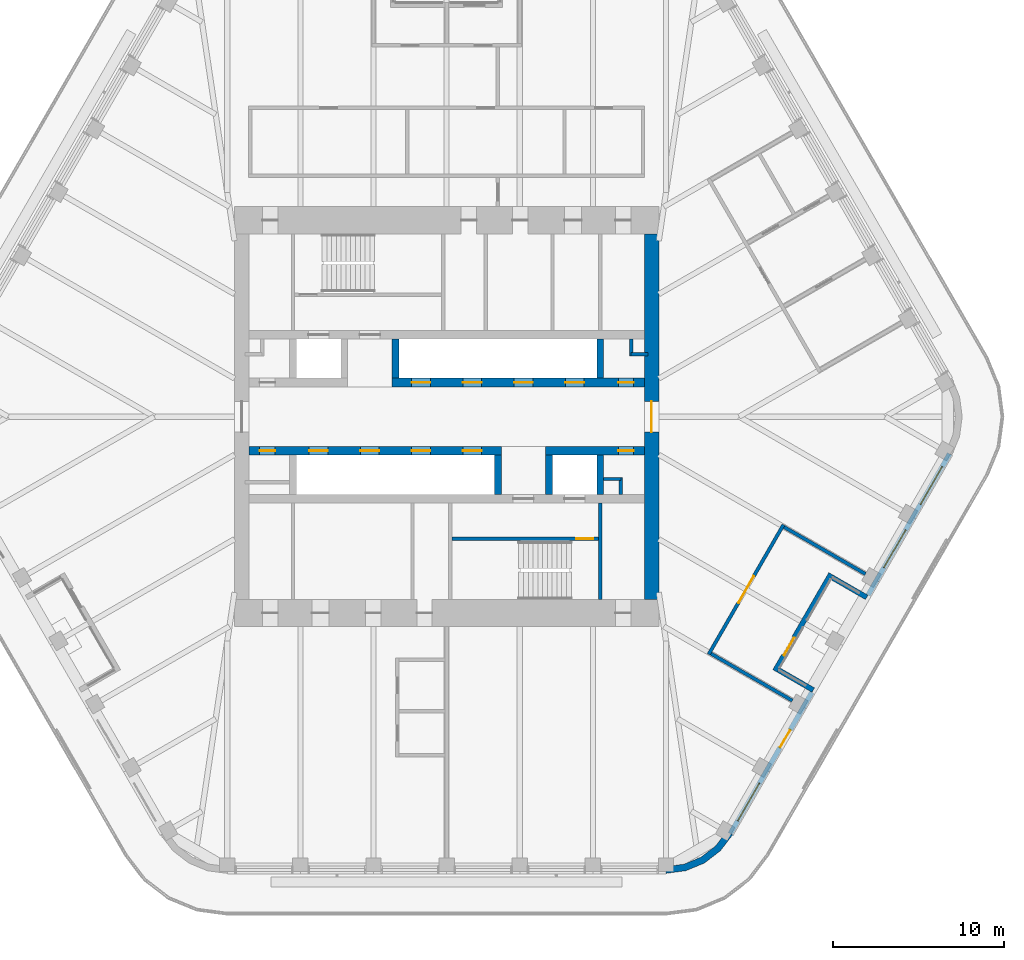
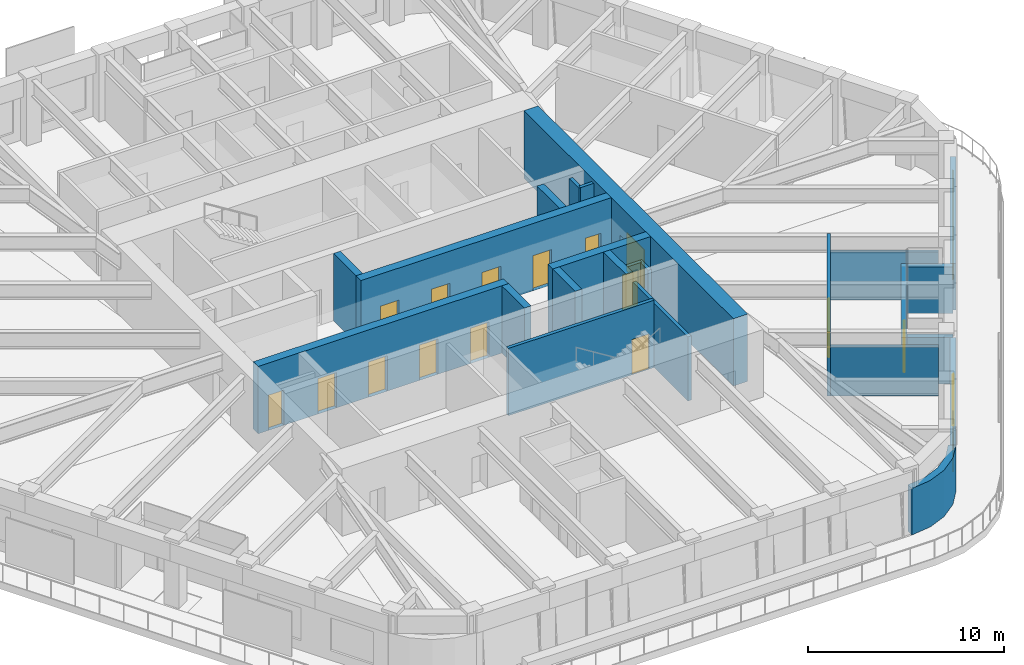
# One storey, part 14 of 19: 24 walls, 16 doors, 3 windows, 19 openings.
"""IFC4 building model written with IfcOpenShell, lengths in metres."""

from ifc_helpers import new_model, si_unit, direction, frame, frame_2d, origin, place, context, subcontext, project, spatial, polyline, rectangle, outline, extrude, material, layer, layer_set, type_object, element, fill, save


model = new_model("IFC4")

# Units and contexts
model_context = context("Model", 3, precision=1e-05, world=origin(), true_north=direction((0.0, 1.0)))
body_context = subcontext(model_context, "Body", "Model", "MODEL_VIEW")
ifc_project = project(units=[si_unit("LENGTHUNIT", "METRE"), si_unit("AREAUNIT", "SQUARE_METRE"), si_unit("VOLUMEUNIT", "CUBIC_METRE"), si_unit("PLANEANGLEUNIT", "RADIAN"), si_unit("MASSUNIT", "GRAM", prefix="KILO")], contexts=[model_context])

# Site, building, storey
site_placement = place(None, origin())
site = spatial("IfcSite", under=ifc_project, at=site_placement, CompositionType="ELEMENT")
building_placement = place(site_placement, origin())
building = spatial("IfcBuilding", under=site, at=building_placement, Name="Tarfa Lantern Tower", CompositionType="ELEMENT")
storey_placement = place(building_placement, frame((0.0, 0.0, 366.10009765625)))
storey = spatial("IfcBuildingStorey", under=building, at=storey_placement, Name="L83", CompositionType="ELEMENT", Elevation=366.10009765625)

# Wall, openings, door, window
ifc_material_1 = material(Name="Limestone cladding on blockwork", Category="masonry")
ifc_layer_1 = layer(ifc_material_1, 0.300048828125)
ifc_layer_set_1 = layer_set([ifc_layer_1], Name="EW1 STONE-CLAD WALL 300")
wall_type_1 = type_object("IfcWallType", Name="EW1 STONE-CLAD WALL 300", PredefinedType="SOLIDWALL", material=ifc_layer_set_1)
wall_1_placement = place(storey_placement, frame((16.61328125, -24.425048828125, 0.0), z_axis=(0.0, 0.0, 1.0), x_axis=(0.499996453679, 0.866027451244, 0.0)))
wall_1 = element("IfcWall", 1, at=wall_1_placement, inside=storey, type_object=wall_type_1, Name="Stone wall SE", PredefinedType="SOLIDWALL", context=body_context, shape_type="SweptSolid", body=[
    extrude(rectangle(XDim=9.56396484375, YDim=0.300048828125, at=frame_2d((4.781982421875, 0.0))), origin(), (0.0, 0.0, 1.0), 2.89990234375),
])
opening_1_placement = place(wall_1_placement, frame((0.865966796875, 0.0, 0.60009765625)))
opening_1 = element("IfcOpeningElement", 2, at=opening_1_placement, cuts=wall_1, Name="Opening W17", PredefinedType="OPENING", context=body_context, shape_type="SweptSolid", body=[
    extrude(rectangle(XDim=2.550048828125, YDim=2.050048828125, at=frame_2d((1.27490234375, 1.02490234375))), frame((0.0, 0.159912109375, 0.0), z_axis=(0.0, -1.0, 0.0), x_axis=(1.0, 0.0, 0.0)), (0.0, 0.0, 1.0), 0.320068359375),
])
opening_2_placement = place(wall_1_placement, frame((5.822998046875, 0.0, 0.0)))
opening_2 = element("IfcOpeningElement", 3, at=opening_2_placement, cuts=wall_1, Name="Opening D36", PredefinedType="OPENING", context=body_context, shape_type="SweptSolid", body=[
    extrude(rectangle(XDim=1.199951171875, YDim=2.39990234375, at=frame_2d((0.60009765625, 1.199951171875))), frame((0.0, 0.159912109375, 0.0), z_axis=(0.0, -1.0, 0.0), x_axis=(1.0, 0.0, 0.0)), (0.0, 0.0, 1.0), 0.320068359375),
])
ifc_material_2 = material(Name="Aluminium framed glazed door", Category="aluminium")
door_type_1 = type_object("IfcDoorType", Name="BE3 BALCONY DOOR 1200x2400", OperationType="SINGLE_SWING_RIGHT", PredefinedType="DOOR", material=ifc_material_2)
door_1_placement = place(opening_2_placement, origin())
door_1 = element("IfcDoor", 4, at=door_1_placement, inside=storey, type_object=door_type_1, Name="Balcony door SE", OperationType="SINGLE_SWING_LEFT", OverallHeight=2.39990234375, OverallWidth=1.199951171875, PredefinedType="DOOR", context=body_context, shape_type="SweptSolid", body=[
    extrude(rectangle(XDim=1.199951171875, YDim=2.39990234375, at=frame_2d((0.60009765625, 1.199951171875))), frame((0.0, 0.02490234375, 0.0), z_axis=(0.0, -1.0, 0.0), x_axis=(1.0, 0.0, 0.0)), (0.0, 0.0, 1.0), 0.050048828125),
])
fill(opening_2, door_1)
ifc_material_3 = material(Name="Aluminium frame, double glazed", Category="aluminium")
window_type = type_object("IfcWindowType", Name="W17 FULL-HEIGHT GLAZING 2550x2050", PartitioningType="SINGLE_PANEL", PredefinedType="WINDOW", material=ifc_material_3)
window_1_placement = place(opening_1_placement, origin())
window_1 = element("IfcWindow", 5, at=window_1_placement, inside=storey, type_object=window_type, Name="Window SE 1", OverallHeight=2.050048828125, OverallWidth=2.550048828125, PartitioningType="SINGLE_PANEL", PredefinedType="WINDOW", context=body_context, shape_type="SweptSolid", body=[
    extrude(rectangle(XDim=2.550048828125, YDim=2.050048828125, at=frame_2d((1.27490234375, 1.02490234375))), frame((0.0, 0.030029296875, 0.0), z_axis=(0.0, -1.0, 0.0), x_axis=(1.0, 0.0, 0.0)), (0.0, 0.0, 1.0), 0.06005859375),
])
fill(opening_1, window_1)

# Wall, openings, windows
wall_2_placement = place(storey_placement, frame((24.67724609375, -10.457763671875, 0.0), z_axis=(0.0, 0.0, 1.0), x_axis=(0.499996453679, 0.866027451244, 0.0)))
wall_2 = element("IfcWall", 6, at=wall_2_placement, inside=storey, type_object=wall_type_1, Name="Stone wall SEB", PredefinedType="SOLIDWALL", context=body_context, shape_type="SweptSolid", body=[
    extrude(rectangle(XDim=9.56396484375, YDim=0.300048828125, at=frame_2d((4.781982421875, 0.0))), origin(), (0.0, 0.0, 1.0), 2.89990234375),
])
opening_3_placement = place(wall_2_placement, frame((1.865966796875, 0.0, 0.60009765625)))
opening_3 = element("IfcOpeningElement", 7, at=opening_3_placement, cuts=wall_2, Name="Opening W17", PredefinedType="OPENING", context=body_context, shape_type="SweptSolid", body=[
    extrude(rectangle(XDim=2.550048828125, YDim=2.050048828125, at=frame_2d((1.27490234375, 1.02490234375))), frame((0.0, 0.159912109375, 0.0), z_axis=(0.0, -1.0, 0.0), x_axis=(1.0, 0.0, 0.0)), (0.0, 0.0, 1.0), 0.320068359375),
])
opening_4_placement = place(wall_2_placement, frame((6.14794921875, 0.0, 0.60009765625)))
opening_4 = element("IfcOpeningElement", 8, at=opening_4_placement, cuts=wall_2, Name="Opening W17", PredefinedType="OPENING", context=body_context, shape_type="SweptSolid", body=[
    extrude(rectangle(XDim=2.550048828125, YDim=2.050048828125, at=frame_2d((1.27490234375, 1.02490234375))), frame((0.0, 0.159912109375, 0.0), z_axis=(0.0, -1.0, 0.0), x_axis=(1.0, 0.0, 0.0)), (0.0, 0.0, 1.0), 0.320068359375),
])
window_2_placement = place(opening_3_placement, origin())
window_2 = element("IfcWindow", 9, at=window_2_placement, inside=storey, type_object=window_type, Name="Window SEB 1", OverallHeight=2.050048828125, OverallWidth=2.550048828125, PartitioningType="SINGLE_PANEL", PredefinedType="WINDOW", context=body_context, shape_type="SweptSolid", body=[
    extrude(rectangle(XDim=2.550048828125, YDim=2.050048828125, at=frame_2d((1.27490234375, 1.02490234375))), frame((0.0, 0.030029296875, 0.0), z_axis=(0.0, -1.0, 0.0), x_axis=(1.0, 0.0, 0.0)), (0.0, 0.0, 1.0), 0.06005859375),
])
fill(opening_3, window_2)
window_3_placement = place(opening_4_placement, origin())
window_3 = element("IfcWindow", 10, at=window_3_placement, inside=storey, type_object=window_type, Name="Window SEB 2", OverallHeight=2.050048828125, OverallWidth=2.550048828125, PartitioningType="SINGLE_PANEL", PredefinedType="WINDOW", context=body_context, shape_type="SweptSolid", body=[
    extrude(rectangle(XDim=2.550048828125, YDim=2.050048828125, at=frame_2d((1.27490234375, 1.02490234375))), frame((0.0, 0.030029296875, 0.0), z_axis=(0.0, -1.0, 0.0), x_axis=(1.0, 0.0, 0.0)), (0.0, 0.0, 1.0), 0.06005859375),
])
fill(opening_4, window_3)

# Walls
for number, where, z_axis, x_axis, name in (
    (11, (21.47021484375, -16.012451171875, 0.0), (0.0, 0.0, 1.0), (-0.866016039709, 0.500016218704, 0.0), "Terrace return SE 1"),
    (12, (24.602294921875, -10.587646484375, 0.0), (0.0, 0.0, 1.0), (-0.866016039709, 0.500016218704, 0.0), "Terrace return SE 2"),
):
    element("IfcWall", number, at=place(storey_placement, frame(where, z_axis=z_axis, x_axis=x_axis)), inside=storey, type_object=wall_type_1, Name=name, PredefinedType="SOLIDWALL", context=body_context, shape_type="SweptSolid", body=[
        extrude(rectangle(XDim=2.35009765625, YDim=0.300048828125, at=frame_2d((1.175048828125, 0.0))), origin(), (0.0, 0.0, 1.0), 2.89990234375),
    ])

# Wall, opening, door
wall_3_placement = place(storey_placement, frame((19.230224609375, -14.892333984375, 0.0), z_axis=(0.0, 0.0, 1.0), x_axis=(0.499999339774, 0.866025784966, 0.0)))
wall_3 = element("IfcWall", 13, at=wall_3_placement, inside=storey, type_object=wall_type_1, Name="Stone wall SES", PredefinedType="SOLIDWALL", context=body_context, shape_type="SweptSolid", body=[
    extrude(rectangle(XDim=6.56396484375, YDim=0.300048828125, at=frame_2d((3.281982421875, 0.0))), origin(), (0.0, 0.0, 1.0), 2.89990234375),
])
opening_5_placement = place(wall_3_placement, frame((1.041015625, 0.0, 0.0)))
opening_5 = element("IfcOpeningElement", 14, at=opening_5_placement, cuts=wall_3, Name="Opening D37", PredefinedType="OPENING", context=body_context, shape_type="SweptSolid", body=[
    extrude(rectangle(XDim=1.199951171875, YDim=2.39990234375, at=frame_2d((0.60009765625, 1.199951171875))), frame((0.0, 0.159912109375, 0.0), z_axis=(0.0, -1.0, 0.0), x_axis=(1.0, 0.0, 0.0)), (0.0, 0.0, 1.0), 0.320068359375),
])
door_2_placement = place(opening_5_placement, origin())
door_2 = element("IfcDoor", 15, at=door_2_placement, inside=storey, type_object=door_type_1, Name="Balcony door SES", OperationType="SINGLE_SWING_RIGHT", OverallHeight=2.39990234375, OverallWidth=1.199951171875, PredefinedType="DOOR", context=body_context, shape_type="SweptSolid", body=[
    extrude(rectangle(XDim=1.199951171875, YDim=2.39990234375, at=frame_2d((0.60009765625, 1.199951171875))), frame((0.0, 0.02490234375, 0.0), z_axis=(0.0, -1.0, 0.0), x_axis=(1.0, 0.0, 0.0)), (0.0, 0.0, 1.0), 0.050048828125),
])
fill(opening_5, door_2)

# Walls
ifc_layer_2 = layer(ifc_material_1, 0.39990234375)
ifc_layer_set_2 = layer_set([ifc_layer_2], Name="EW2 CURVED STONE CORNER 400")
wall_type_2 = type_object("IfcWallType", Name="EW2 CURVED STONE CORNER 400", PredefinedType="SOLIDWALL", material=ifc_layer_set_2)
wall_4_placement = place(storey_placement, origin())
element("IfcWall", 16, at=wall_4_placement, inside=storey, type_object=wall_type_2, Name="Stone corner S-SE", PredefinedType="SOLIDWALL", context=body_context, shape_type="SweptSolid", body=[
    extrude(outline(polyline([(12.845947265625, -26.75), (14.0107421875, -26.5966796875), (15.095947265625, -26.147216796875), (16.028076171875, -25.431884765625), (16.7431640625, -24.5), (16.396728515625, -24.300048828125), (15.7451171875, -25.149169921875), (14.89599609375, -25.80078125), (13.9072265625, -26.210205078125), (12.845947265625, -26.35009765625), (12.845947265625, -26.75)])), origin(), (0.0, 0.0, 1.0), 2.89990234375),
])
ifc_material_4 = material(Name="Concrete blockwork", Category="masonry")
ifc_layer_3 = layer(ifc_material_4, 0.199951171875)
ifc_layer_set_3 = layer_set([ifc_layer_3], Name="IW1 BLOCKWORK PARTITION 200 EI 120")
wall_type_3 = type_object("IfcWallType", Name="IW1 BLOCKWORK PARTITION 200 EI 120", PredefinedType="PARTITIONING", material=ifc_layer_set_3)
wall_5_placement = place(storey_placement, frame((9.0, -5.050048828125, 0.0), z_axis=(0.0, 0.0, 1.0), x_axis=(0.0, -1.0, 0.0)))
element("IfcWall", 17, at=wall_5_placement, inside=storey, type_object=wall_type_3, Name="Core partition", PredefinedType="PARTITIONING", context=body_context, shape_type="SweptSolid", body=[
    extrude(rectangle(XDim=5.64990234375, YDim=0.199951171875, at=frame_2d((2.824951171875, 0.0))), origin(), (0.0, 0.0, 1.0), 4.0),
])
for number, where, z_axis, x_axis, name in (
    (18, (10.800048828125, 3.64990234375, 0.0), (0.0, 0.0, 1.0), (1.0, 0.0, 0.0), "Core partition"),
    (19, (10.800048828125, 3.550048828125, 0.0), (0.0, 0.0, 1.0), (0.0, 1.0, 0.0), "Core partition"),
    (20, (10.199951171875, -3.64990234375, 0.0), (0.0, 0.0, 1.0), (-1.0, 0.0, 0.0), "Core partition"),
    (21, (10.199951171875, -3.550048828125, 0.0), (0.0, 0.0, 1.0), (0.0, -1.0, 0.0), "Core partition"),
):
    element("IfcWall", number, at=place(storey_placement, frame(where, z_axis=z_axis, x_axis=x_axis)), inside=storey, type_object=wall_type_3, Name=name, PredefinedType="PARTITIONING", context=body_context, shape_type="SweptSolid", body=[
        extrude(rectangle(XDim=1.0, YDim=0.199951171875, at=frame_2d((0.5, 0.0))), origin(), (0.0, 0.0, 1.0), 4.0),
    ])

# Wall, opening, door
ifc_material_5 = material(Name="Gypsum board on steel studs", Category="steel")
ifc_layer_4 = layer(ifc_material_5, 0.2099609375)
ifc_layer_set_4 = layer_set([ifc_layer_4], Name="IW2 ACOUSTIC PARTITION 200")
wall_type_4 = type_object("IfcWallType", Name="IW2 ACOUSTIC PARTITION 200", PredefinedType="PARTITIONING", material=ifc_layer_set_4)
wall_6_placement = place(storey_placement, frame((15.345947265625, -13.919921875, 0.0), z_axis=(0.0, 0.0, 1.0), x_axis=(0.500006995557, 0.86602136486, 0.0)))
wall_6 = element("IfcWall", 22, at=wall_6_placement, inside=storey, type_object=wall_type_4, Name="Partition", PredefinedType="PARTITIONING", context=body_context, shape_type="SweptSolid", body=[
    extrude(rectangle(XDim=8.763916015625, YDim=0.199951171875, at=frame_2d((4.3818359375, 0.0))), origin(), (0.0, 0.0, 1.0), 4.0),
])
opening_6_placement = place(wall_6_placement, frame((3.48193359375, 0.0, 0.0)))
opening_6 = element("IfcOpeningElement", 23, at=opening_6_placement, cuts=wall_6, Name="Opening D27", PredefinedType="OPENING", context=body_context, shape_type="SweptSolid", body=[
    extrude(rectangle(XDim=1.800048828125, YDim=2.39990234375, at=frame_2d((0.89990234375, 1.199951171875))), frame((0.0, 0.10986328125, 0.0), z_axis=(0.0, -1.0, 0.0), x_axis=(1.0, 0.0, 0.0)), (0.0, 0.0, 1.0), 0.219970703125),
])
ifc_material_6 = material(Name="Timber door", Category="wood")
door_type_2 = type_object("IfcDoorType", Name="DR2 ROOM DOOR 1800x2400", OperationType="DOUBLE_DOOR_SINGLE_SWING", PredefinedType="DOOR", material=ifc_material_6)
door_3_placement = place(opening_6_placement, frame((1.800048828125, 0.0, 0.0), z_axis=(0.0, 0.0, 1.0), x_axis=(-1.0, 0.0, 0.0)))
door_3 = element("IfcDoor", 24, at=door_3_placement, inside=storey, type_object=door_type_2, Name="Majlis door", OperationType="DOUBLE_DOOR_SINGLE_SWING", OverallHeight=2.39990234375, OverallWidth=1.800048828125, PredefinedType="DOOR", context=body_context, shape_type="SweptSolid", body=[
    extrude(rectangle(XDim=1.800048828125, YDim=2.39990234375, at=frame_2d((0.89990234375, 1.199951171875))), frame((0.0, 0.02490234375, 0.0), z_axis=(0.0, -1.0, 0.0), x_axis=(1.0, 0.0, 0.0)), (0.0, 0.0, 1.0), 0.050048828125),
])
fill(opening_6, door_3)

# Walls
wall_7_placement = place(storey_placement, frame((15.482666015625, -13.88330078125, 0.0), z_axis=(0.0, 0.0, 1.0), x_axis=(0.866027397988, -0.499996545922, 0.0)))
element("IfcWall", 25, at=wall_7_placement, inside=storey, type_object=wall_type_4, Name="Partition", PredefinedType="PARTITIONING", context=body_context, shape_type="SweptSolid", body=[
    extrude(rectangle(XDim=5.5, YDim=0.199951171875, at=frame_2d((2.75, 0.0))), origin(), (0.0, 0.0, 1.0), 3.08154296875),
])
wall_8_placement = place(storey_placement, frame((19.7646484375, -6.466552734375, 0.0), z_axis=(0.0, 0.0, 1.0), x_axis=(0.866027397988, -0.499996545922, 0.0)))
element("IfcWall", 26, at=wall_8_placement, inside=storey, type_object=wall_type_4, Name="Partition", PredefinedType="PARTITIONING", context=body_context, shape_type="SweptSolid", body=[
    extrude(rectangle(XDim=5.5, YDim=0.199951171875, at=frame_2d((2.75, 0.0))), origin(), (0.0, 0.0, 1.0), 2.99169921875),
])

# Wall, opening, door
ifc_material_7 = material(Name="Concrete C80/95", Category="concrete")
ifc_layer_5 = layer(ifc_material_7, 0.199951171875)
ifc_layer_set_5 = layer_set([ifc_layer_5], Name="SW12 CORE WALL 200")
wall_type_5 = type_object("IfcWallType", Name="SW12 CORE WALL 200", PredefinedType="SHEAR", material=ifc_layer_set_5)
wall_9_placement = place(storey_placement, frame((8.89990234375, -7.14990234375, 0.0), z_axis=(0.0, 0.0, 1.0), x_axis=(-1.0, 0.0, 0.0)))
wall_9 = element("IfcWall", 27, at=wall_9_placement, inside=storey, type_object=wall_type_5, Name="Core wall stair partition S", PredefinedType="SHEAR", context=body_context, shape_type="SweptSolid", body=[
    extrude(rectangle(XDim=8.599853515625, YDim=0.199951171875, at=frame_2d((4.2998046875, 0.0))), origin(), (0.0, 0.0, 1.0), 4.199951171875),
])
opening_7_placement = place(wall_9_placement, frame((0.300048828125, 0.0, 0.0)))
opening_7 = element("IfcOpeningElement", 28, at=opening_7_placement, cuts=wall_9, Name="Opening D20", PredefinedType="OPENING", context=body_context, shape_type="SweptSolid", body=[
    extrude(rectangle(XDim=1.0, YDim=2.199951171875, at=frame_2d((0.5, 1.10009765625))), frame((0.0, 0.10986328125, 0.0), z_axis=(0.0, -1.0, 0.0), x_axis=(1.0, 0.0, 0.0)), (0.0, 0.0, 1.0), 0.219970703125),
])
ifc_material_8 = material(Name="Steel fire door", Category="steel")
door_type_3 = type_object("IfcDoorType", Name="DF2 STAIR DOOR 1000x2200", OperationType="SINGLE_SWING_LEFT", PredefinedType="DOOR", material=ifc_material_8)
door_4_placement = place(opening_7_placement, origin())
door_4 = element("IfcDoor", 29, at=door_4_placement, inside=storey, type_object=door_type_3, Name="Stair door", OperationType="SINGLE_SWING_RIGHT", OverallHeight=2.199951171875, OverallWidth=1.0, PredefinedType="DOOR", context=body_context, shape_type="SweptSolid", body=[
    extrude(rectangle(XDim=1.0, YDim=2.199951171875, at=frame_2d((0.5, 1.10009765625))), frame((0.0, 0.02490234375, 0.0), z_axis=(0.0, -1.0, 0.0), x_axis=(1.0, 0.0, 0.0)), (0.0, 0.0, 1.0), 0.050048828125),
])
fill(opening_7, door_4)

ifc_layer_6 = layer(ifc_material_7, 0.85009765625)
ifc_layer_set_6 = layer_set([ifc_layer_6], Name="SW3 CORE WALL 850")
wall_type_6 = type_object("IfcWallType", Name="SW3 CORE WALL 850", PredefinedType="SHEAR", material=ifc_layer_set_6)
wall_10_placement = place(storey_placement, frame((12.0, -10.699951171875, 0.0), z_axis=(0.0, 0.0, 1.0), x_axis=(0.0, 1.0, 0.0)))
wall_10 = element("IfcWall", 30, at=wall_10_placement, inside=storey, type_object=wall_type_6, Name="Core wall E", PredefinedType="SHEAR", context=body_context, shape_type="SweptSolid", body=[
    extrude(rectangle(XDim=21.39990234375, YDim=0.85009765625, at=frame_2d((10.699951171875, 0.0))), origin(), (0.0, 0.0, 1.0), 4.199951171875),
])
opening_8_placement = place(wall_10_placement, frame((9.800048828125, 0.0, 0.0)))
opening_8 = element("IfcOpeningElement", 31, at=opening_8_placement, cuts=wall_10, Name="Opening D07", PredefinedType="OPENING", context=body_context, shape_type="SweptSolid", body=[
    extrude(rectangle(XDim=1.800048828125, YDim=2.39990234375, at=frame_2d((0.89990234375, 1.199951171875))), frame((0.0, 0.43505859375, 0.0), z_axis=(0.0, -1.0, 0.0), x_axis=(1.0, 0.0, 0.0)), (0.0, 0.0, 1.0), 0.8701171875),
])
door_type_4 = type_object("IfcDoorType", Name="DL1 LOBBY DOOR 1800x2400", OperationType="DOUBLE_DOOR_SINGLE_SWING", PredefinedType="DOOR", material=ifc_material_8)
door_5_placement = place(opening_8_placement, frame((1.800048828125, 0.0, 0.0), z_axis=(0.0, 0.0, 1.0), x_axis=(-1.0, 0.0, 0.0)))
door_5 = element("IfcDoor", 32, at=door_5_placement, inside=storey, type_object=door_type_4, Name="Lift lobby door", OperationType="DOUBLE_DOOR_SINGLE_SWING", OverallHeight=2.39990234375, OverallWidth=1.800048828125, PredefinedType="DOOR", context=body_context, shape_type="SweptSolid", body=[
    extrude(rectangle(XDim=1.800048828125, YDim=2.39990234375, at=frame_2d((0.89990234375, 1.199951171875))), frame((0.0, 0.02490234375, 0.0), z_axis=(0.0, -1.0, 0.0), x_axis=(1.0, 0.0, 0.0)), (0.0, 0.0, 1.0), 0.050048828125),
])
fill(opening_8, door_5)

# Wall, openings, doors
ifc_layer_7 = layer(ifc_material_7, 0.5)
ifc_layer_set_7 = layer_set([ifc_layer_7], Name="SW5 CORE WALL 500")
wall_type_7 = type_object("IfcWallType", Name="SW5 CORE WALL 500", PredefinedType="SHEAR", material=ifc_layer_set_7)
wall_11_placement = place(storey_placement, frame((-3.199951171875, 2.0, 0.0), z_axis=(0.0, 0.0, 1.0), x_axis=(1.0, 0.0, 0.0)))
wall_11 = element("IfcWall", 33, at=wall_11_placement, inside=storey, type_object=wall_type_7, Name="Core wall lobby east N", PredefinedType="SHEAR", context=body_context, shape_type="SweptSolid", body=[
    extrude(rectangle(XDim=14.77490234375, YDim=0.5, at=frame_2d((7.387451171875, 0.0))), origin(), (0.0, 0.0, 1.0), 4.199951171875),
])
opening_9_placement = place(wall_11_placement, frame((13.25, 0.0, 0.0)))
opening_9 = element("IfcOpeningElement", 34, at=opening_9_placement, cuts=wall_11, Name="Opening D09", PredefinedType="OPENING", context=body_context, shape_type="SweptSolid", body=[
    extrude(rectangle(XDim=0.89990234375, YDim=2.199951171875, at=frame_2d((0.449951171875, 1.10009765625))), frame((0.0, 0.260009765625, 0.0), z_axis=(0.0, -1.0, 0.0), x_axis=(1.0, 0.0, 0.0)), (0.0, 0.0, 1.0), 0.52001953125),
])
opening_10_placement = place(wall_11_placement, frame((1.14990234375, 0.0, 0.0)))
opening_10 = element("IfcOpeningElement", 35, at=opening_10_placement, cuts=wall_11, Name="Opening LD03", PredefinedType="OPENING", context=body_context, shape_type="SweptSolid", body=[
    extrude(rectangle(XDim=1.10009765625, YDim=2.199951171875, at=frame_2d((0.550048828125, 1.10009765625))), frame((0.0, 0.260009765625, 0.0), z_axis=(0.0, -1.0, 0.0), x_axis=(1.0, 0.0, 0.0)), (0.0, 0.0, 1.0), 0.52001953125),
])
opening_11_placement = place(wall_11_placement, frame((4.14990234375, 0.0, 0.0)))
opening_11 = element("IfcOpeningElement", 36, at=opening_11_placement, cuts=wall_11, Name="Opening LD04", PredefinedType="OPENING", context=body_context, shape_type="SweptSolid", body=[
    extrude(rectangle(XDim=1.10009765625, YDim=2.199951171875, at=frame_2d((0.550048828125, 1.10009765625))), frame((0.0, 0.260009765625, 0.0), z_axis=(0.0, -1.0, 0.0), x_axis=(1.0, 0.0, 0.0)), (0.0, 0.0, 1.0), 0.52001953125),
])
opening_12_placement = place(wall_11_placement, frame((7.14990234375, 0.0, 0.0)))
opening_12 = element("IfcOpeningElement", 37, at=opening_12_placement, cuts=wall_11, Name="Opening LD05", PredefinedType="OPENING", context=body_context, shape_type="SweptSolid", body=[
    extrude(rectangle(XDim=1.10009765625, YDim=2.199951171875, at=frame_2d((0.550048828125, 1.10009765625))), frame((0.0, 0.260009765625, 0.0), z_axis=(0.0, -1.0, 0.0), x_axis=(1.0, 0.0, 0.0)), (0.0, 0.0, 1.0), 0.52001953125),
])
opening_13_placement = place(wall_11_placement, frame((10.14990234375, 0.0, 0.0)))
opening_13 = element("IfcOpeningElement", 38, at=opening_13_placement, cuts=wall_11, Name="Opening LD06", PredefinedType="OPENING", context=body_context, shape_type="SweptSolid", body=[
    extrude(rectangle(XDim=1.10009765625, YDim=2.199951171875, at=frame_2d((0.550048828125, 1.10009765625))), frame((0.0, 0.260009765625, 0.0), z_axis=(0.0, -1.0, 0.0), x_axis=(1.0, 0.0, 0.0)), (0.0, 0.0, 1.0), 0.52001953125),
])
door_type_5 = type_object("IfcDoorType", Name="DF6 SERVICE ROOM DOOR 900x2200", OperationType="SINGLE_SWING_LEFT", PredefinedType="DOOR", material=ifc_material_8)
door_6_placement = place(opening_9_placement, origin())
door_6 = element("IfcDoor", 39, at=door_6_placement, inside=storey, type_object=door_type_5, Name="Service room door", OperationType="SINGLE_SWING_LEFT", OverallHeight=2.199951171875, OverallWidth=0.89990234375, PredefinedType="DOOR", context=body_context, shape_type="SweptSolid", body=[
    extrude(rectangle(XDim=0.89990234375, YDim=2.199951171875, at=frame_2d((0.449951171875, 1.10009765625))), frame((0.0, 0.02490234375, 0.0), z_axis=(0.0, -1.0, 0.0), x_axis=(1.0, 0.0, 0.0)), (0.0, 0.0, 1.0), 0.050048828125),
])
fill(opening_9, door_6)
ifc_material_9 = material(Name="Stainless steel lift door", Category="steel")
door_type_6 = type_object("IfcDoorType", Name="LD2 LIFT LANDING DOOR 1100x2200", OperationType="SLIDING_TO_LEFT", PredefinedType="DOOR", material=ifc_material_9)
door_7_placement = place(opening_10_placement, frame((1.10009765625, 0.0, 0.0), z_axis=(0.0, 0.0, 1.0), x_axis=(-1.0, 0.0, 0.0)))
door_7 = element("IfcDoor", 40, at=door_7_placement, inside=storey, type_object=door_type_6, Name="Landing door PD1", OperationType="SLIDING_TO_LEFT", OverallHeight=2.199951171875, OverallWidth=1.10009765625, PredefinedType="DOOR", context=body_context, shape_type="SweptSolid", body=[
    extrude(rectangle(XDim=1.10009765625, YDim=2.199951171875, at=frame_2d((0.550048828125, 1.10009765625))), frame((0.0, 0.02490234375, 0.0), z_axis=(0.0, -1.0, 0.0), x_axis=(1.0, 0.0, 0.0)), (0.0, 0.0, 1.0), 0.050048828125),
])
fill(opening_10, door_7)
door_8_placement = place(opening_11_placement, frame((1.10009765625, 0.0, 0.0), z_axis=(0.0, 0.0, 1.0), x_axis=(-1.0, 0.0, 0.0)))
door_8 = element("IfcDoor", 41, at=door_8_placement, inside=storey, type_object=door_type_6, Name="Landing door PD2", OperationType="SLIDING_TO_LEFT", OverallHeight=2.199951171875, OverallWidth=1.10009765625, PredefinedType="DOOR", context=body_context, shape_type="SweptSolid", body=[
    extrude(rectangle(XDim=1.10009765625, YDim=2.199951171875, at=frame_2d((0.550048828125, 1.10009765625))), frame((0.0, 0.02490234375, 0.0), z_axis=(0.0, -1.0, 0.0), x_axis=(1.0, 0.0, 0.0)), (0.0, 0.0, 1.0), 0.050048828125),
])
fill(opening_11, door_8)
door_9_placement = place(opening_12_placement, frame((1.10009765625, 0.0, 0.0), z_axis=(0.0, 0.0, 1.0), x_axis=(-1.0, 0.0, 0.0)))
door_9 = element("IfcDoor", 42, at=door_9_placement, inside=storey, type_object=door_type_6, Name="Landing door PD3", OperationType="SLIDING_TO_LEFT", OverallHeight=2.199951171875, OverallWidth=1.10009765625, PredefinedType="DOOR", context=body_context, shape_type="SweptSolid", body=[
    extrude(rectangle(XDim=1.10009765625, YDim=2.199951171875, at=frame_2d((0.550048828125, 1.10009765625))), frame((0.0, 0.02490234375, 0.0), z_axis=(0.0, -1.0, 0.0), x_axis=(1.0, 0.0, 0.0)), (0.0, 0.0, 1.0), 0.050048828125),
])
fill(opening_12, door_9)
door_10_placement = place(opening_13_placement, frame((1.10009765625, 0.0, 0.0), z_axis=(0.0, 0.0, 1.0), x_axis=(-1.0, 0.0, 0.0)))
door_10 = element("IfcDoor", 43, at=door_10_placement, inside=storey, type_object=door_type_6, Name="Landing door PD4", OperationType="SLIDING_TO_LEFT", OverallHeight=2.199951171875, OverallWidth=1.10009765625, PredefinedType="DOOR", context=body_context, shape_type="SweptSolid", body=[
    extrude(rectangle(XDim=1.10009765625, YDim=2.199951171875, at=frame_2d((0.550048828125, 1.10009765625))), frame((0.0, 0.02490234375, 0.0), z_axis=(0.0, -1.0, 0.0), x_axis=(1.0, 0.0, 0.0)), (0.0, 0.0, 1.0), 0.050048828125),
])
fill(opening_13, door_10)

# Wall, opening, door
wall_12_placement = place(storey_placement, frame((11.574951171875, -2.0, 0.0), z_axis=(0.0, 0.0, 1.0), x_axis=(-1.0, 0.0, 0.0)))
wall_12 = element("IfcWall", 44, at=wall_12_placement, inside=storey, type_object=wall_type_7, Name="Core wall lobby west S", PredefinedType="SHEAR", context=body_context, shape_type="SweptSolid", body=[
    extrude(rectangle(XDim=5.77490234375, YDim=0.5, at=frame_2d((2.887451171875, 0.0))), origin(), (0.0, 0.0, 1.0), 4.199951171875),
])
opening_14_placement = place(wall_12_placement, frame((0.625, 0.0, 0.0)))
opening_14 = element("IfcOpeningElement", 45, at=opening_14_placement, cuts=wall_12, Name="Opening D12", PredefinedType="OPENING", context=body_context, shape_type="SweptSolid", body=[
    extrude(rectangle(XDim=0.89990234375, YDim=2.199951171875, at=frame_2d((0.449951171875, 1.10009765625))), frame((0.0, 0.260009765625, 0.0), z_axis=(0.0, -1.0, 0.0), x_axis=(1.0, 0.0, 0.0)), (0.0, 0.0, 1.0), 0.52001953125),
])
door_11_placement = place(opening_14_placement, origin())
door_11 = element("IfcDoor", 46, at=door_11_placement, inside=storey, type_object=door_type_5, Name="Service room door", OperationType="SINGLE_SWING_RIGHT", OverallHeight=2.199951171875, OverallWidth=0.89990234375, PredefinedType="DOOR", context=body_context, shape_type="SweptSolid", body=[
    extrude(rectangle(XDim=0.89990234375, YDim=2.199951171875, at=frame_2d((0.449951171875, 1.10009765625))), frame((0.0, 0.02490234375, 0.0), z_axis=(0.0, -1.0, 0.0), x_axis=(1.0, 0.0, 0.0)), (0.0, 0.0, 1.0), 0.050048828125),
])
fill(opening_14, door_11)

# Wall, openings, doors
wall_13_placement = place(storey_placement, frame((3.199951171875, -2.0, 0.0), z_axis=(0.0, 0.0, 1.0), x_axis=(-1.0, 0.0, 0.0)))
wall_13 = element("IfcWall", 47, at=wall_13_placement, inside=storey, type_object=wall_type_7, Name="Core wall lobby east S", PredefinedType="SHEAR", context=body_context, shape_type="SweptSolid", body=[
    extrude(rectangle(XDim=14.77490234375, YDim=0.5, at=frame_2d((7.387451171875, 0.0))), origin(), (0.0, 0.0, 1.0), 4.199951171875),
])
opening_15_placement = place(wall_13_placement, frame((13.25, 0.0, 0.0)))
opening_15 = element("IfcOpeningElement", 48, at=opening_15_placement, cuts=wall_13, Name="Opening D10", PredefinedType="OPENING", context=body_context, shape_type="SweptSolid", body=[
    extrude(rectangle(XDim=0.89990234375, YDim=2.199951171875, at=frame_2d((0.449951171875, 1.10009765625))), frame((0.0, 0.260009765625, 0.0), z_axis=(0.0, -1.0, 0.0), x_axis=(1.0, 0.0, 0.0)), (0.0, 0.0, 1.0), 0.52001953125),
])
opening_16_placement = place(wall_13_placement, frame((1.14990234375, 0.0, 0.0)))
opening_16 = element("IfcOpeningElement", 49, at=opening_16_placement, cuts=wall_13, Name="Opening LD07", PredefinedType="OPENING", context=body_context, shape_type="SweptSolid", body=[
    extrude(rectangle(XDim=1.10009765625, YDim=2.199951171875, at=frame_2d((0.550048828125, 1.10009765625))), frame((0.0, 0.260009765625, 0.0), z_axis=(0.0, -1.0, 0.0), x_axis=(1.0, 0.0, 0.0)), (0.0, 0.0, 1.0), 0.52001953125),
])
opening_17_placement = place(wall_13_placement, frame((4.14990234375, 0.0, 0.0)))
opening_17 = element("IfcOpeningElement", 50, at=opening_17_placement, cuts=wall_13, Name="Opening LD08", PredefinedType="OPENING", context=body_context, shape_type="SweptSolid", body=[
    extrude(rectangle(XDim=1.10009765625, YDim=2.199951171875, at=frame_2d((0.550048828125, 1.10009765625))), frame((0.0, 0.260009765625, 0.0), z_axis=(0.0, -1.0, 0.0), x_axis=(1.0, 0.0, 0.0)), (0.0, 0.0, 1.0), 0.52001953125),
])
opening_18_placement = place(wall_13_placement, frame((7.14990234375, 0.0, 0.0)))
opening_18 = element("IfcOpeningElement", 51, at=opening_18_placement, cuts=wall_13, Name="Opening LD09", PredefinedType="OPENING", context=body_context, shape_type="SweptSolid", body=[
    extrude(rectangle(XDim=1.10009765625, YDim=2.199951171875, at=frame_2d((0.550048828125, 1.10009765625))), frame((0.0, 0.260009765625, 0.0), z_axis=(0.0, -1.0, 0.0), x_axis=(1.0, 0.0, 0.0)), (0.0, 0.0, 1.0), 0.52001953125),
])
opening_19_placement = place(wall_13_placement, frame((10.14990234375, 0.0, 0.0)))
opening_19 = element("IfcOpeningElement", 52, at=opening_19_placement, cuts=wall_13, Name="Opening LD10", PredefinedType="OPENING", context=body_context, shape_type="SweptSolid", body=[
    extrude(rectangle(XDim=1.10009765625, YDim=2.199951171875, at=frame_2d((0.550048828125, 1.10009765625))), frame((0.0, 0.260009765625, 0.0), z_axis=(0.0, -1.0, 0.0), x_axis=(1.0, 0.0, 0.0)), (0.0, 0.0, 1.0), 0.52001953125),
])
door_12_placement = place(opening_15_placement, origin())
door_12 = element("IfcDoor", 53, at=door_12_placement, inside=storey, type_object=door_type_5, Name="Service room door", OperationType="SINGLE_SWING_LEFT", OverallHeight=2.199951171875, OverallWidth=0.89990234375, PredefinedType="DOOR", context=body_context, shape_type="SweptSolid", body=[
    extrude(rectangle(XDim=0.89990234375, YDim=2.199951171875, at=frame_2d((0.449951171875, 1.10009765625))), frame((0.0, 0.02490234375, 0.0), z_axis=(0.0, -1.0, 0.0), x_axis=(1.0, 0.0, 0.0)), (0.0, 0.0, 1.0), 0.050048828125),
])
fill(opening_15, door_12)
door_13_placement = place(opening_16_placement, frame((1.10009765625, 0.0, 0.0), z_axis=(0.0, 0.0, 1.0), x_axis=(-1.0, 0.0, 0.0)))
door_13 = element("IfcDoor", 54, at=door_13_placement, inside=storey, type_object=door_type_6, Name="Landing door PD5", OperationType="SLIDING_TO_LEFT", OverallHeight=2.199951171875, OverallWidth=1.10009765625, PredefinedType="DOOR", context=body_context, shape_type="SweptSolid", body=[
    extrude(rectangle(XDim=1.10009765625, YDim=2.199951171875, at=frame_2d((0.550048828125, 1.10009765625))), frame((0.0, 0.02490234375, 0.0), z_axis=(0.0, -1.0, 0.0), x_axis=(1.0, 0.0, 0.0)), (0.0, 0.0, 1.0), 0.050048828125),
])
fill(opening_16, door_13)
door_14_placement = place(opening_17_placement, frame((1.10009765625, 0.0, 0.0), z_axis=(0.0, 0.0, 1.0), x_axis=(-1.0, 0.0, 0.0)))
door_14 = element("IfcDoor", 55, at=door_14_placement, inside=storey, type_object=door_type_6, Name="Landing door PD6", OperationType="SLIDING_TO_LEFT", OverallHeight=2.199951171875, OverallWidth=1.10009765625, PredefinedType="DOOR", context=body_context, shape_type="SweptSolid", body=[
    extrude(rectangle(XDim=1.10009765625, YDim=2.199951171875, at=frame_2d((0.550048828125, 1.10009765625))), frame((0.0, 0.02490234375, 0.0), z_axis=(0.0, -1.0, 0.0), x_axis=(1.0, 0.0, 0.0)), (0.0, 0.0, 1.0), 0.050048828125),
])
fill(opening_17, door_14)
door_15_placement = place(opening_18_placement, frame((1.10009765625, 0.0, 0.0), z_axis=(0.0, 0.0, 1.0), x_axis=(-1.0, 0.0, 0.0)))
door_15 = element("IfcDoor", 56, at=door_15_placement, inside=storey, type_object=door_type_6, Name="Landing door PD7", OperationType="SLIDING_TO_LEFT", OverallHeight=2.199951171875, OverallWidth=1.10009765625, PredefinedType="DOOR", context=body_context, shape_type="SweptSolid", body=[
    extrude(rectangle(XDim=1.10009765625, YDim=2.199951171875, at=frame_2d((0.550048828125, 1.10009765625))), frame((0.0, 0.02490234375, 0.0), z_axis=(0.0, -1.0, 0.0), x_axis=(1.0, 0.0, 0.0)), (0.0, 0.0, 1.0), 0.050048828125),
])
fill(opening_18, door_15)
door_16_placement = place(opening_19_placement, frame((1.10009765625, 0.0, 0.0), z_axis=(0.0, 0.0, 1.0), x_axis=(-1.0, 0.0, 0.0)))
door_16 = element("IfcDoor", 57, at=door_16_placement, inside=storey, type_object=door_type_6, Name="Landing door PD8", OperationType="SLIDING_TO_LEFT", OverallHeight=2.199951171875, OverallWidth=1.10009765625, PredefinedType="DOOR", context=body_context, shape_type="SweptSolid", body=[
    extrude(rectangle(XDim=1.10009765625, YDim=2.199951171875, at=frame_2d((0.550048828125, 1.10009765625))), frame((0.0, 0.02490234375, 0.0), z_axis=(0.0, -1.0, 0.0), x_axis=(1.0, 0.0, 0.0)), (0.0, 0.0, 1.0), 0.050048828125),
])
fill(opening_19, door_16)

# Walls
ifc_layer_8 = layer(ifc_material_7, 0.39990234375)
ifc_layer_set_8 = layer_set([ifc_layer_8], Name="SW6 CORE WALL 400")
wall_type_8 = type_object("IfcWallType", Name="SW6 CORE WALL 400", PredefinedType="SHEAR", material=ifc_layer_set_8)
for number, where, z_axis, x_axis, name in (
    (58, (-3.0, 2.25, 0.0), (0.0, 0.0, 1.0), (0.0, 1.0, 0.0), "Core wall divider N"),
    (59, (9.0, 2.25, 0.0), (0.0, 0.0, 1.0), (0.0, 1.0, 0.0), "Core wall divider N"),
    (60, (9.0, -2.25, 0.0), (0.0, 0.0, 1.0), (0.0, -1.0, 0.0), "Core wall divider S"),
    (61, (6.0, -2.25, 0.0), (0.0, 0.0, 1.0), (0.0, -1.0, 0.0), "Core wall divider S"),
    (62, (3.0, -2.25, 0.0), (0.0, 0.0, 1.0), (0.0, -1.0, 0.0), "Core wall divider S"),
):
    element("IfcWall", number, at=place(storey_placement, frame(where, z_axis=z_axis, x_axis=x_axis)), inside=storey, type_object=wall_type_8, Name=name, PredefinedType="SHEAR", context=body_context, shape_type="SweptSolid", body=[
        extrude(rectangle(XDim=2.300048828125, YDim=0.39990234375, at=frame_2d((1.14990234375, 0.0))), origin(), (0.0, 0.0, 1.0), 4.199951171875),
    ])

save(model, "model.ifc")
